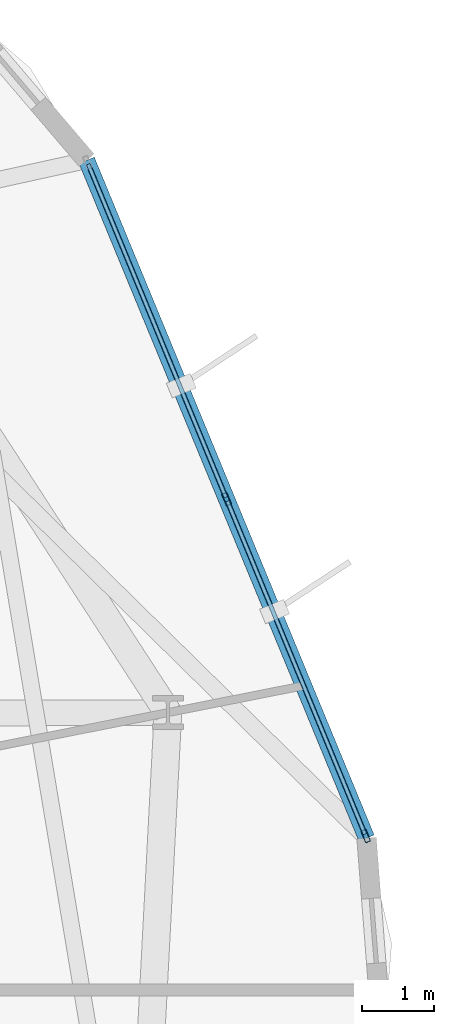
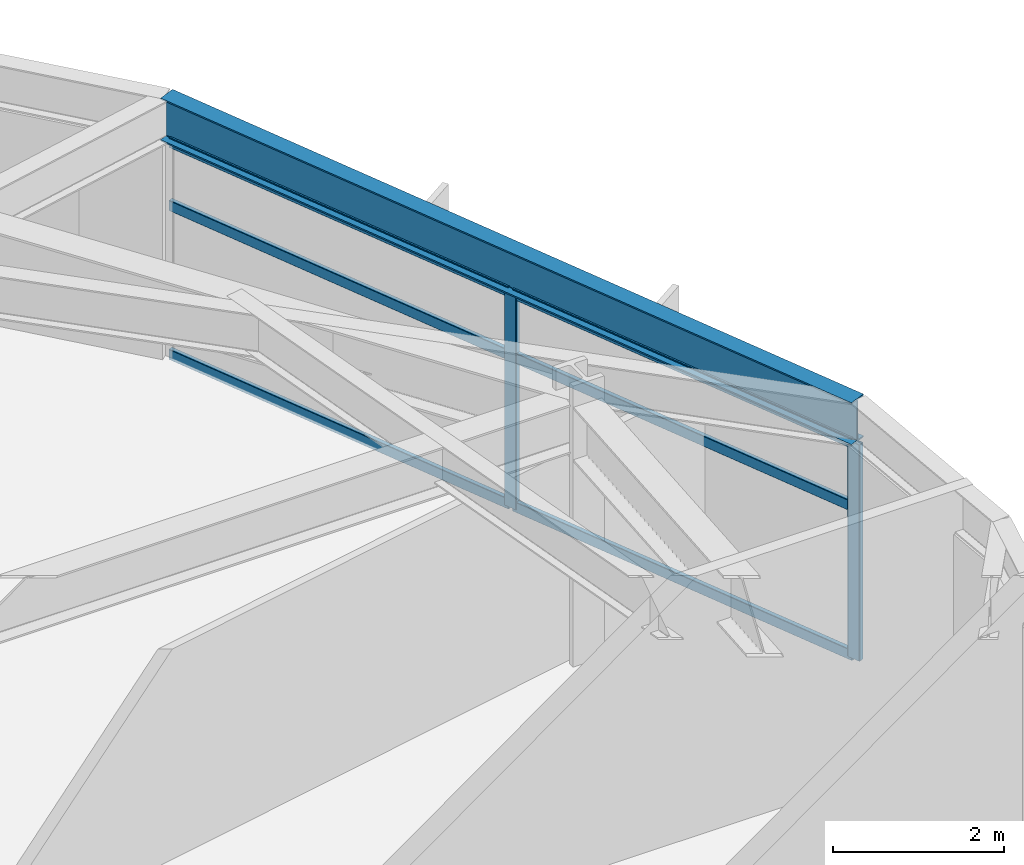
# One storey, part 11 of 22: 8 members, 1 beam, 1 element without a shape of its own.
"""IFC4 building model written with IfcOpenShell, lengths in metres."""

from ifc_helpers import new_model, si_unit, direction, frame, origin, origin_2d, place, context, subcontext, project, spatial, hollow_rectangle, i_section, extrude, material, layer, layer_set, material_profile, profile_set, type_object, element, aggregate, save


model = new_model("IFC4")

# Units and contexts
model_context = context("Model", 3, precision=1e-05, world=origin(), true_north=direction((0.0, 1.0)))
body_context = subcontext(model_context, "Body", "Model", "MODEL_VIEW")
ifc_project = project(units=[si_unit("LENGTHUNIT", "METRE"), si_unit("AREAUNIT", "SQUARE_METRE"), si_unit("VOLUMEUNIT", "CUBIC_METRE"), si_unit("PLANEANGLEUNIT", "RADIAN"), si_unit("MASSUNIT", "GRAM", prefix="KILO")], contexts=[model_context])

# Site, building, storey
site_placement = place(None, origin())
site = spatial("IfcSite", under=ifc_project, at=site_placement, CompositionType="ELEMENT")
building_placement = place(site_placement, origin())
building = spatial("IfcBuilding", under=site, at=building_placement, Name="Soratama Intermodal Tower", CompositionType="ELEMENT")
storey_placement = place(building_placement, frame((0.0, 0.0, 50.60009765625)))
storey = spatial("IfcBuildingStorey", under=building, at=storey_placement, Name="L11", CompositionType="ELEMENT", Elevation=50.60009765625)

# Beam
ifc_material_1 = material(Name="Structural steel ASTM A992 Grade 50", Category="steel")
ifc_material_profile_1 = material_profile(ifc_material_1, i_section(OverallWidth=0.22900390625, OverallDepth=0.612060546875, WebThickness=0.011962890625, FlangeThickness=0.01953125, FilletRadius=0.012939453125, at=origin_2d()), Name="W24X84")
ifc_profile_set_1 = profile_set([ifc_material_profile_1], Name="Structural steel ASTM A992 Grade 50")
beam_type = type_object("IfcBeamType", Name="BM-SPN-W24X84", PredefinedType="SPANDREL", material=ifc_profile_set_1)
beam_placement = place(storey_placement, frame((65.8349609375, 28.10498046875, 3.393798828125), z_axis=(-0.381670059257, 0.924298634569, 0.0), x_axis=(-0.924298634569, -0.381670059257, 0.0)))
element("IfcBeam", 1, at=beam_placement, inside=storey, type_object=beam_type, Name="BS-L11-F01", PredefinedType="SPANDREL", context=body_context, shape_type="SweptSolid", body=[
    extrude(i_section(OverallWidth=0.22900390625, OverallDepth=0.612060546875, WebThickness=0.011962890625, FlangeThickness=0.01953125, FilletRadius=0.012939453125, at=origin_2d()), origin(), (0.0, 0.0, 1.0), 10.16552734375),
])

# Curtain wall, members
ifc_material_2 = material(Name="Double-glazed aluminium curtain wall", Category="aluminium")
ifc_layer = layer(ifc_material_2, 0.159912109375)
ifc_layer_set = layer_set([ifc_layer], Name="Double-glazed aluminium curtain wall")
curtain_wall_type = type_object("IfcCurtainWallType", Name="CW-SYS-2", PredefinedType="NOTDEFINED", material=ifc_layer_set)
curtain_wall_placement = place(storey_placement, origin())
curtain_wall = element("IfcCurtainWall", 2, at=curtain_wall_placement, inside=storey, type_object=curtain_wall_type, Name="L11 Faceted Curtain Wall F01", PredefinedType="NOTDEFINED")
ifc_material_3 = material(Name="Anodised aluminium AA 6063-T6", Category="aluminium")
ifc_material_profile_2 = material_profile(ifc_material_3, hollow_rectangle(XDim=0.074951171875, YDim=0.179931640625, WallThickness=0.006103515625, InnerFilletRadius=0.006103515625, OuterFilletRadius=0.011962890625, at=origin_2d()), Name="CWM180X75X6")
ifc_profile_set_2 = profile_set([ifc_material_profile_2], Name="Anodised aluminium AA 6063-T6")
member_type_1 = type_object("IfcMemberType", Name="MT-CWM-2", PredefinedType="MULLION", material=ifc_profile_set_2)
member_1_placement = place(storey_placement, frame((65.823486328125, 28.13330078125, 0.0), z_axis=(0.0, 0.0, 1.0), x_axis=(-0.924277045689, -0.381722337323, 0.0)))
member_1 = element("IfcMember", 3, at=member_1_placement, type_object=member_type_1, Name="CW-2 mullion 1", PredefinedType="MULLION", context=body_context, shape_type="SweptSolid", body=[
    extrude(hollow_rectangle(XDim=0.074951171875, YDim=0.179931640625, WallThickness=0.006103515625, InnerFilletRadius=0.006103515625, OuterFilletRadius=0.011962890625, at=origin_2d()), origin(), (0.0, 0.0, 1.0), 3.078857421875),
])
member_2_placement = place(storey_placement, frame((63.894775390625, 32.80322265625, 0.0), z_axis=(0.0, 0.0, 1.0), x_axis=(-0.924277045689, -0.381722337323, 0.0)))
member_2 = element("IfcMember", 4, at=member_2_placement, type_object=member_type_1, Name="CW-2 mullion 2", PredefinedType="MULLION", context=body_context, shape_type="SweptSolid", body=[
    extrude(hollow_rectangle(XDim=0.074951171875, YDim=0.179931640625, WallThickness=0.006103515625, InnerFilletRadius=0.006103515625, OuterFilletRadius=0.011962890625, at=origin_2d()), origin(), (0.0, 0.0, 1.0), 3.078857421875),
])
ifc_material_4 = material(Name="Anodised aluminium AA 6063-T6", Category="aluminium")
ifc_material_profile_3 = material_profile(ifc_material_4, hollow_rectangle(XDim=0.06494140625, YDim=0.14990234375, WallThickness=0.0048828125, InnerFilletRadius=0.0048828125, OuterFilletRadius=0.010009765625, at=origin_2d()), Name="CWT150X65X5")
ifc_profile_set_3 = profile_set([ifc_material_profile_3], Name="Anodised aluminium AA 6063-T6")
member_type_2 = type_object("IfcMemberType", Name="TT-CWT-1", PredefinedType="USERDEFINED", material=ifc_profile_set_3)
member_3_placement = place(storey_placement, frame((65.81201171875, 28.160888671875, 0.02978515625), z_axis=(-0.381703852011, 0.924284679825, 0.0), x_axis=(-0.924284679825, -0.381703852011, 0.0)))
member_3 = element("IfcMember", 5, at=member_3_placement, type_object=member_type_2, Name="CW-2 transom 1.1", ObjectType="TRANSOM", PredefinedType="USERDEFINED", context=body_context, shape_type="SweptSolid", body=[
    extrude(hollow_rectangle(XDim=0.06494140625, YDim=0.14990234375, WallThickness=0.0048828125, InnerFilletRadius=0.0048828125, OuterFilletRadius=0.010009765625, at=origin_2d()), origin(), (0.0, 0.0, 1.0), 4.99267578125),
])
member_4_placement = place(storey_placement, frame((65.81201171875, 28.160888671875, 2.14990234375), z_axis=(-0.381703852011, 0.924284679825, 0.0), x_axis=(-0.924284679825, -0.381703852011, 0.0)))
member_4 = element("IfcMember", 6, at=member_4_placement, type_object=member_type_2, Name="CW-2 transom 1.2", ObjectType="TRANSOM", PredefinedType="USERDEFINED", context=body_context, shape_type="SweptSolid", body=[
    extrude(hollow_rectangle(XDim=0.06494140625, YDim=0.14990234375, WallThickness=0.0048828125, InnerFilletRadius=0.0048828125, OuterFilletRadius=0.010009765625, at=origin_2d()), origin(), (0.0, 0.0, 1.0), 4.99267578125),
])
member_5_placement = place(storey_placement, frame((65.81201171875, 28.160888671875, 3.048828125), z_axis=(-0.381703852011, 0.924284679825, 0.0), x_axis=(-0.924284679825, -0.381703852011, 0.0)))
member_5 = element("IfcMember", 7, at=member_5_placement, type_object=member_type_2, Name="CW-2 transom 1.3", ObjectType="TRANSOM", PredefinedType="USERDEFINED", context=body_context, shape_type="SweptSolid", body=[
    extrude(hollow_rectangle(XDim=0.06494140625, YDim=0.14990234375, WallThickness=0.0048828125, InnerFilletRadius=0.0048828125, OuterFilletRadius=0.010009765625, at=origin_2d()), origin(), (0.0, 0.0, 1.0), 4.99267578125),
])
member_6_placement = place(storey_placement, frame((63.88330078125, 32.8310546875, 0.02978515625), z_axis=(-0.381721104361, 0.924277554897, 0.0), x_axis=(-0.924277554897, -0.381721104361, 0.0)))
member_6 = element("IfcMember", 8, at=member_6_placement, type_object=member_type_2, Name="CW-2 transom 2.1", ObjectType="TRANSOM", PredefinedType="USERDEFINED", context=body_context, shape_type="SweptSolid", body=[
    extrude(hollow_rectangle(XDim=0.06494140625, YDim=0.14990234375, WallThickness=0.0048828125, InnerFilletRadius=0.0048828125, OuterFilletRadius=0.010009765625, at=origin_2d()), origin(), (0.0, 0.0, 1.0), 4.992431640625),
])
member_7_placement = place(storey_placement, frame((63.88330078125, 32.8310546875, 2.14990234375), z_axis=(-0.381721104361, 0.924277554897, 0.0), x_axis=(-0.924277554897, -0.381721104361, 0.0)))
member_7 = element("IfcMember", 9, at=member_7_placement, type_object=member_type_2, Name="CW-2 transom 2.2", ObjectType="TRANSOM", PredefinedType="USERDEFINED", context=body_context, shape_type="SweptSolid", body=[
    extrude(hollow_rectangle(XDim=0.06494140625, YDim=0.14990234375, WallThickness=0.0048828125, InnerFilletRadius=0.0048828125, OuterFilletRadius=0.010009765625, at=origin_2d()), origin(), (0.0, 0.0, 1.0), 4.992431640625),
])
member_8_placement = place(storey_placement, frame((63.88330078125, 32.8310546875, 3.048828125), z_axis=(-0.381721104361, 0.924277554897, 0.0), x_axis=(-0.924277554897, -0.381721104361, 0.0)))
member_8 = element("IfcMember", 10, at=member_8_placement, type_object=member_type_2, Name="CW-2 transom 2.3", ObjectType="TRANSOM", PredefinedType="USERDEFINED", context=body_context, shape_type="SweptSolid", body=[
    extrude(hollow_rectangle(XDim=0.06494140625, YDim=0.14990234375, WallThickness=0.0048828125, InnerFilletRadius=0.0048828125, OuterFilletRadius=0.010009765625, at=origin_2d()), origin(), (0.0, 0.0, 1.0), 4.992431640625),
])
aggregate(curtain_wall, [member_1, member_2, member_3, member_4, member_5, member_6, member_7, member_8])

save(model, "model.ifc")
